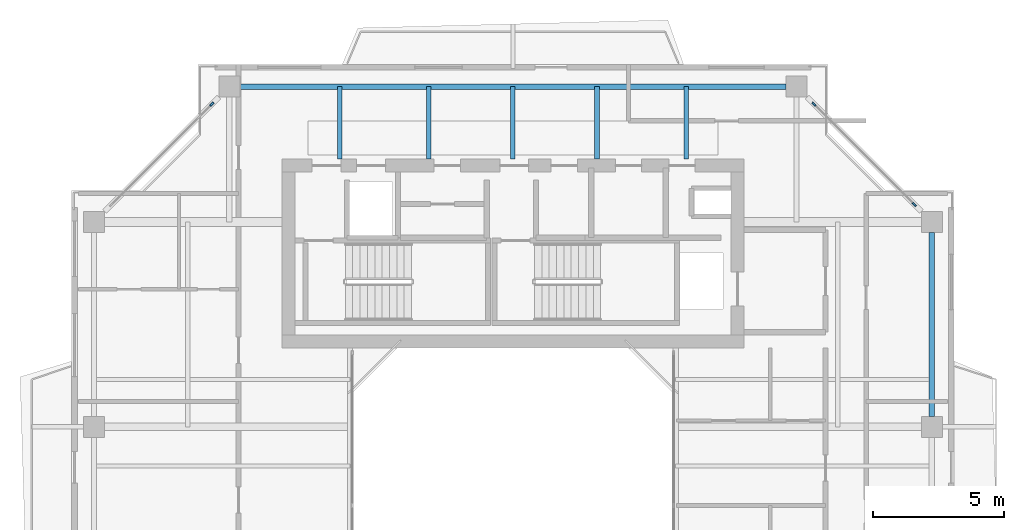
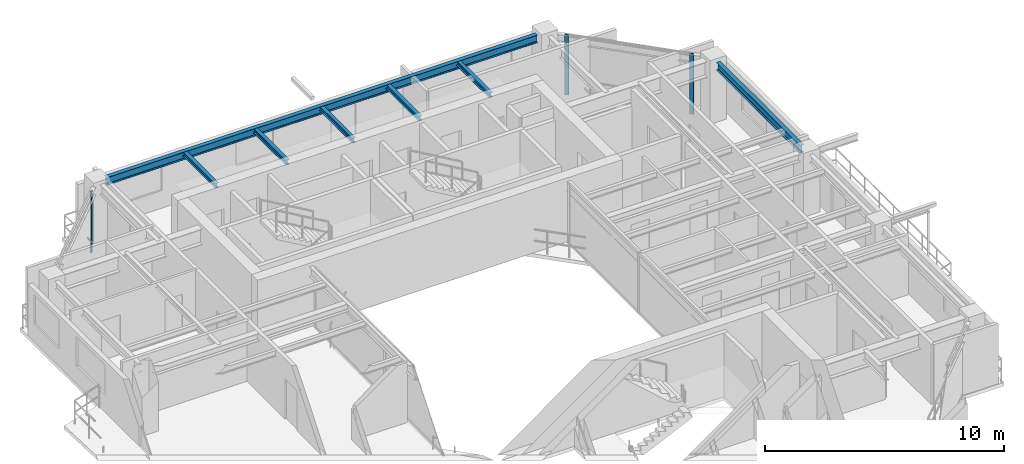
# One storey, part 8 of 15: 7 beams, 3 members, 2 elements without a shape of their own.
"""IFC4 building model written with IfcOpenShell, lengths in metres."""

from ifc_helpers import new_model, si_unit, direction, frame, origin, origin_2d, place, context, subcontext, project, spatial, rectangle, i_section, extrude, source, transform, mapped, material, layer, layer_set, material_profile, profile_set, type_object, element, aggregate, save


model = new_model("IFC4")

# Units and contexts
model_context = context("Model", 3, precision=1e-05, world=origin(), true_north=direction((0.0, 1.0)))
body_context = subcontext(model_context, "Body", "Model", "MODEL_VIEW")
ifc_project = project(units=[si_unit("LENGTHUNIT", "METRE"), si_unit("AREAUNIT", "SQUARE_METRE"), si_unit("VOLUMEUNIT", "CUBIC_METRE"), si_unit("PLANEANGLEUNIT", "RADIAN"), si_unit("MASSUNIT", "GRAM", prefix="KILO"), si_unit("THERMODYNAMICTEMPERATUREUNIT", "KELVIN"), si_unit("POWERUNIT", "WATT")], contexts=[model_context])

# Site, building, storey
site_placement = place(None, origin())
site = spatial("IfcSite", under=ifc_project, at=site_placement, CompositionType="ELEMENT")
building_placement = place(site_placement, origin())
building = spatial("IfcBuilding", under=site, at=building_placement, Name="Qiaomeng Ring Towers", CompositionType="ELEMENT")
storey_placement = place(building_placement, frame((0.0, 0.0, 200.25)))
storey = spatial("IfcBuildingStorey", under=building, at=storey_placement, Name="L58", CompositionType="ELEMENT", Elevation=200.25)

# Beams
ifc_material_1 = material(Name="Steel Q355B", Category="steel")
ifc_material_profile_1 = material_profile(ifc_material_1, i_section(OverallWidth=0.198974609375, OverallDepth=0.39599609375, WebThickness=0.007080078125, FlangeThickness=0.010986328125, FilletRadius=0.01611328125, at=origin_2d()), Name="HN 396x199x7x11")
ifc_profile_set_1 = profile_set([ifc_material_profile_1], Name="Steel Q355B")
beam_type_1 = type_object("IfcBeamType", Name="STR-BM-HN396", PredefinedType="SPANDREL", material=ifc_profile_set_1)
shared_shape_1 = source(origin(), body_context, "Body", "SweptSolid", [
    extrude(i_section(OverallWidth=0.198974609375, OverallDepth=0.39599609375, WebThickness=0.007080078125, FlangeThickness=0.010986328125, FilletRadius=0.01611328125, at=origin_2d()), origin(), (0.0, 0.0, 1.0), 20.8017578125),
])
beam_1_placement = place(storey_placement, frame((29.40087890625, 38.949951171875, 2.8720703125), z_axis=(-1.0, 0.0, 0.0), x_axis=(0.0, -1.0, 0.0)))
element("IfcBeam", 1, at=beam_1_placement, inside=storey, type_object=beam_type_1, Name="L58 beam STR-SP-L58-T1-N2-N1", PredefinedType="SPANDREL", context=body_context, shape_type="MappedRepresentation", body=[
    mapped(shared_shape_1, transform((0.0, 0.0, 0.0), x_axis=(1.0, 0.0, 0.0), y_axis=(0.0, 1.0, 0.0), z_axis=(0.0, 0.0, 1.0), scale=1.0)),
])
shared_shape_2 = source(origin(), body_context, "Body", "SweptSolid", [
    extrude(i_section(OverallWidth=0.198974609375, OverallDepth=0.39599609375, WebThickness=0.007080078125, FlangeThickness=0.010986328125, FilletRadius=0.01611328125, at=origin_2d()), origin(), (0.0, 0.0, 1.0), 7.001953125),
])
beam_2_placement = place(storey_placement, frame((34.949951171875, 26.39892578125, 2.8720703125), z_axis=(0.0, 1.0, 0.0), x_axis=(-1.0, 0.0, 0.0)))
element("IfcBeam", 2, at=beam_2_placement, inside=storey, type_object=beam_type_1, Name="L58 beam STR-SP-L58-T1-E3-E4", PredefinedType="SPANDREL", context=body_context, shape_type="MappedRepresentation", body=[
    mapped(shared_shape_2, transform((0.0, 0.0, 0.0), x_axis=(1.0, 0.0, 0.0), y_axis=(0.0, 1.0, 0.0), z_axis=(0.0, 0.0, 1.0), scale=1.0)),
])
ifc_material_profile_2 = material_profile(ifc_material_1, i_section(OverallWidth=0.175048828125, OverallDepth=0.243896484375, WebThickness=0.007080078125, FlangeThickness=0.010986328125, FilletRadius=0.01611328125, at=origin_2d()), Name="HM 244x175x7x11")
ifc_profile_set_2 = profile_set([ifc_material_profile_2], Name="Steel Q355B")
beam_type_2 = type_object("IfcBeamType", Name="STR-BM-HM244", PredefinedType="JOIST", material=ifc_profile_set_2)
shared_shape_3 = source(origin(), body_context, "Body", "SweptSolid", [
    extrude(i_section(OverallWidth=0.175048828125, OverallDepth=0.243896484375, WebThickness=0.007080078125, FlangeThickness=0.010986328125, FilletRadius=0.01611328125, at=origin_2d()), origin(), (0.0, 0.0, 1.0), 2.75),
])
for number, where, z_axis, x_axis, name in (
    (3, (12.39990234375, 36.199951171875, 2.947998046875), (0.0, 1.0, 0.0), (-1.0, 0.0, 0.0), "L58 beam STR-JST-L58-T1N-1"),
    (4, (15.800048828125, 36.199951171875, 2.947998046875), (0.0, 1.0, 0.0), (-1.0, 0.0, 0.0), "L58 beam STR-JST-L58-T1N-2"),
    (5, (19.0, 36.199951171875, 2.947998046875), (0.0, 1.0, 0.0), (-1.0, 0.0, 0.0), "L58 beam STR-JST-L58-T1N-3"),
    (6, (22.199951171875, 36.199951171875, 2.947998046875), (0.0, 1.0, 0.0), (-1.0, 0.0, 0.0), "L58 beam STR-JST-L58-T1N-4"),
    (7, (25.60009765625, 36.199951171875, 2.947998046875), (0.0, 1.0, 0.0), (-1.0, 0.0, 0.0), "L58 beam STR-JST-L58-T1N-5"),
):
    element("IfcBeam", number, at=place(storey_placement, frame(where, z_axis=z_axis, x_axis=x_axis)), inside=storey, type_object=beam_type_2, Name=name, PredefinedType="JOIST", context=body_context, shape_type="MappedRepresentation", body=[
        mapped(shared_shape_3, transform((0.0, 0.0, 0.0), x_axis=(1.0, 0.0, 0.0), y_axis=(0.0, 1.0, 0.0), z_axis=(0.0, 0.0, 1.0), scale=1.0)),
    ])

# Curtain wall, members
ifc_material_2 = material(Name="Fluorocarbon dark-grey aluminium", Category="aluminium")
ifc_layer = layer(ifc_material_2, 0.14990234375, Name="Fluorocarbon dark-grey aluminium")
ifc_layer_set = layer_set([ifc_layer], Name="Fluorocarbon dark-grey aluminium")
curtain_wall_type = type_object("IfcCurtainWallType", Name="ARC-CW-3", PredefinedType="NOTDEFINED", material=ifc_layer_set)
curtain_wall_1_placement = place(storey_placement, origin())
curtain_wall_1 = element("IfcCurtainWall", 8, at=curtain_wall_1_placement, inside=storey, type_object=curtain_wall_type, Name="L58 Curtain Wall CW3", PredefinedType="NOTDEFINED")
ifc_material_profile_3 = material_profile(ifc_material_2, rectangle(XDim=0.070068359375, YDim=0.179931640625, at=origin_2d()), Name="ALU MULL 70x180")
ifc_profile_set_3 = profile_set([ifc_material_profile_3], Name="Fluorocarbon dark-grey aluminium")
member_type = type_object("IfcMemberType", Name="ARC-CWM-160", PredefinedType="MULLION", material=ifc_profile_set_3)
shared_shape_4 = source(origin(), body_context, "Body", "SweptSolid", [
    extrude(rectangle(XDim=0.070068359375, YDim=0.179931640625, at=origin_2d()), origin(), (0.0, 0.0, 1.0), 3.070068359375),
])
member_1_placement = place(storey_placement, frame((34.28515625, 34.46484375, 0.0), z_axis=(0.0, 0.0, 1.0), x_axis=(-0.707106781187, -0.707106781187, 0.0)))
member_1 = element("IfcMember", 9, at=member_1_placement, type_object=member_type, Name="CW3 mullion 1", PredefinedType="MULLION", context=body_context, shape_type="MappedRepresentation", body=[
    mapped(shared_shape_4, transform((0.0, 0.0, 0.0), x_axis=(1.0, 0.0, 0.0), y_axis=(0.0, 1.0, 0.0), z_axis=(0.0, 0.0, 1.0), scale=1.0)),
])
member_2_placement = place(storey_placement, frame((30.46484375, 38.28515625, 0.0), z_axis=(0.0, 0.0, 1.0), x_axis=(-0.707106781187, -0.707106781187, 0.0)))
member_2 = element("IfcMember", 10, at=member_2_placement, type_object=member_type, Name="CW3 mullion 2", PredefinedType="MULLION", context=body_context, shape_type="MappedRepresentation", body=[
    mapped(shared_shape_4, transform((0.0, 0.0, 0.0), x_axis=(1.0, 0.0, 0.0), y_axis=(0.0, 1.0, 0.0), z_axis=(0.0, 0.0, 1.0), scale=1.0)),
])
aggregate(curtain_wall_1, [member_1, member_2])

# Curtain wall, member
curtain_wall_2_placement = place(storey_placement, origin())
curtain_wall_2 = element("IfcCurtainWall", 11, at=curtain_wall_2_placement, inside=storey, type_object=curtain_wall_type, Name="L58 Curtain Wall CW3", PredefinedType="NOTDEFINED")
member_3_placement = place(storey_placement, frame((7.53515625, 38.28515625, 0.0), z_axis=(0.0, 0.0, 1.0), x_axis=(0.707106781187, -0.707106781187, 0.0)))
member_3 = element("IfcMember", 12, at=member_3_placement, type_object=member_type, Name="CW3 mullion 1", PredefinedType="MULLION", context=body_context, shape_type="MappedRepresentation", body=[
    mapped(shared_shape_4, transform((0.0, 0.0, 0.0), x_axis=(1.0, 0.0, 0.0), y_axis=(0.0, 1.0, 0.0), z_axis=(0.0, 0.0, 1.0), scale=1.0)),
])
aggregate(curtain_wall_2, [member_3])

save(model, "model.ifc")
